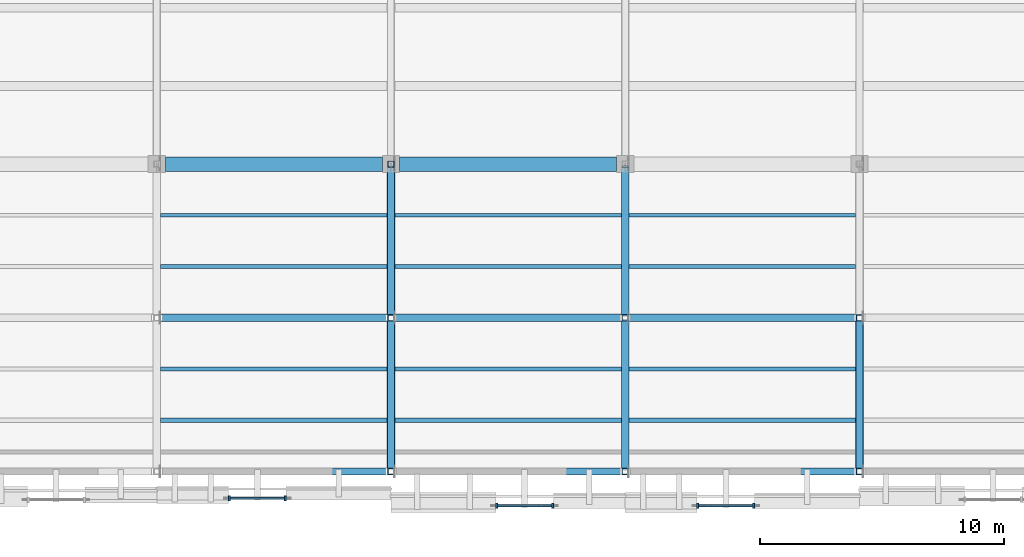
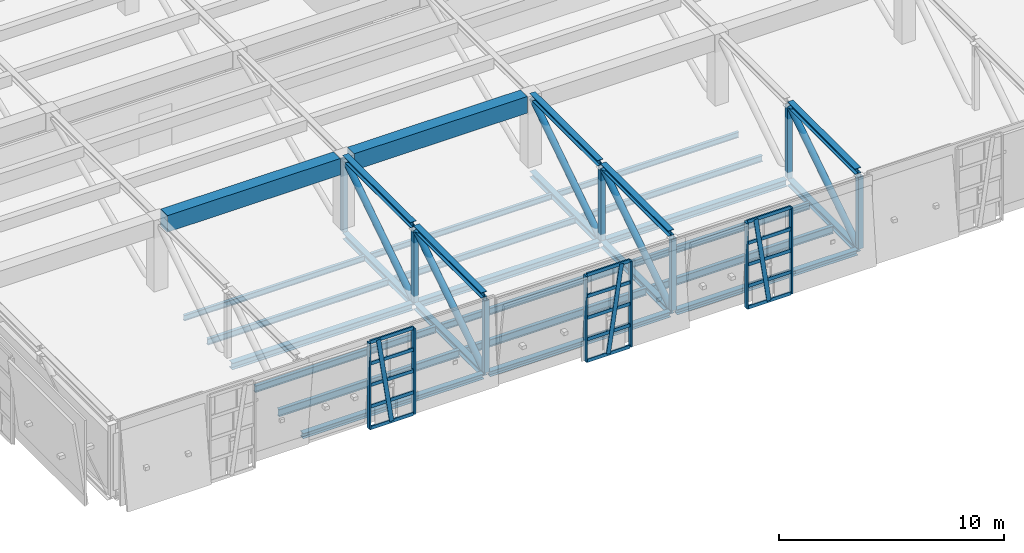
# One storey, part 9 of 62: 46 members, 20 beams, 3 elements without a shape of their own.
"""IFC4 building model written with IfcOpenShell, lengths in metres."""

from ifc_helpers import new_model, si_unit, direction, frame, origin, origin_2d, place, context, subcontext, project, spatial, rectangle, hollow_rectangle, hollow_circle, i_section, extrude, material, layer, layer_set, material_profile, profile_set, type_object, element, aggregate, save


model = new_model("IFC4")

# Units and contexts
model_context = context("Model", 3, precision=1e-05, world=origin(), true_north=direction((0.0, 1.0)))
body_context = subcontext(model_context, "Body", "Model", "MODEL_VIEW")
ifc_project = project(units=[si_unit("LENGTHUNIT", "METRE"), si_unit("AREAUNIT", "SQUARE_METRE"), si_unit("VOLUMEUNIT", "CUBIC_METRE"), si_unit("PLANEANGLEUNIT", "RADIAN"), si_unit("MASSUNIT", "GRAM", prefix="KILO")], contexts=[model_context])

# Site, building, storey
site_placement = place(None, origin())
site = spatial("IfcSite", under=ifc_project, at=site_placement, CompositionType="ELEMENT")
building_placement = place(site_placement, origin())
building = spatial("IfcBuilding", under=site, at=building_placement, Name="Bempovik Park Faculty of Sciences", CompositionType="ELEMENT")
storey_placement = place(building_placement, frame((0.0, 0.0, 9.89990234375)))
storey = spatial("IfcBuildingStorey", under=building, at=storey_placement, Name="L02", CompositionType="ELEMENT", Elevation=9.89990234375)

# Beams
ifc_material_1 = material(Name="Steel S355", Category="steel")
ifc_material_profile_1 = material_profile(ifc_material_1, i_section(OverallWidth=0.14990234375, OverallDepth=0.300048828125, WebThickness=0.007080078125, FlangeThickness=0.0107421875, at=origin_2d()), Name="IPE 300")
ifc_profile_set_1 = profile_set([ifc_material_profile_1], Name="Steel S355")
beam_type_1 = type_object("IfcBeamType", Name="B-043 IPE 300", PredefinedType="JOIST", material=ifc_profile_set_1)
beam_1_placement = place(storey_placement, frame((69.756103515625, 17.699951171875, -0.469970703125), z_axis=(1.0, 0.0, 0.0), x_axis=(0.0, 1.0, 0.0)))
element("IfcBeam", 1, at=beam_1_placement, inside=storey, type_object=beam_type_1, Name="Cantilever Floor Joist L02 (69.6-79.2, y=17.7)", PredefinedType="JOIST", context=body_context, shape_type="SweptSolid", body=[
    extrude(i_section(OverallWidth=0.14990234375, OverallDepth=0.300048828125, WebThickness=0.007080078125, FlangeThickness=0.0107421875, at=origin_2d()), origin(), (0.0, 0.0, 1.0), 9.287841796875),
])
beam_2_placement = place(storey_placement, frame((79.35595703125, 17.699951171875, -0.469970703125), z_axis=(1.0, 0.0, 0.0), x_axis=(0.0, 1.0, 0.0)))
element("IfcBeam", 2, at=beam_2_placement, inside=storey, type_object=beam_type_1, Name="Cantilever Floor Joist L02 (79.2-88.8, y=17.7)", PredefinedType="JOIST", context=body_context, shape_type="SweptSolid", body=[
    extrude(i_section(OverallWidth=0.14990234375, OverallDepth=0.300048828125, WebThickness=0.007080078125, FlangeThickness=0.0107421875, at=origin_2d()), origin(), (0.0, 0.0, 1.0), 9.2880859375),
])
beam_3_placement = place(storey_placement, frame((88.9560546875, 17.699951171875, -0.469970703125), z_axis=(1.0, 0.0, 0.0), x_axis=(0.0, 1.0, 0.0)))
element("IfcBeam", 3, at=beam_3_placement, inside=storey, type_object=beam_type_1, Name="Cantilever Floor Joist L02 (88.8-98.4, y=17.7)", PredefinedType="JOIST", context=body_context, shape_type="SweptSolid", body=[
    extrude(i_section(OverallWidth=0.14990234375, OverallDepth=0.300048828125, WebThickness=0.007080078125, FlangeThickness=0.0107421875, at=origin_2d()), origin(), (0.0, 0.0, 1.0), 9.287841796875),
])
ifc_material_profile_2 = material_profile(ifc_material_1, i_section(OverallWidth=0.300048828125, OverallDepth=0.360107421875, WebThickness=0.012451171875, FlangeThickness=0.0224609375, at=origin_2d()), Name="HEB 360")
ifc_profile_set_2 = profile_set([ifc_material_profile_2], Name="Steel S355")
beam_type_2 = type_object("IfcBeamType", Name="B-102 HEB 360", PredefinedType="BEAM", material=ifc_profile_set_2)
beam_4_placement = place(storey_placement, frame((69.756103515625, 13.5, -0.5), z_axis=(1.0, 0.0, 0.0), x_axis=(0.0, 1.0, 0.0)))
element("IfcBeam", 4, at=beam_4_placement, inside=storey, type_object=beam_type_2, Name="Cantilever Collector Beam L02 (69.6-79.2, y=13.5)", PredefinedType="BEAM", context=body_context, shape_type="SweptSolid", body=[
    extrude(i_section(OverallWidth=0.300048828125, OverallDepth=0.360107421875, WebThickness=0.012451171875, FlangeThickness=0.0224609375, at=origin_2d()), origin(), (0.0, 0.0, 1.0), 9.287841796875),
])
beam_5_placement = place(storey_placement, frame((79.35595703125, 13.5, -0.5), z_axis=(1.0, 0.0, 0.0), x_axis=(0.0, 1.0, 0.0)))
element("IfcBeam", 5, at=beam_5_placement, inside=storey, type_object=beam_type_2, Name="Cantilever Collector Beam L02 (79.2-88.8, y=13.5)", PredefinedType="BEAM", context=body_context, shape_type="SweptSolid", body=[
    extrude(i_section(OverallWidth=0.300048828125, OverallDepth=0.360107421875, WebThickness=0.012451171875, FlangeThickness=0.0224609375, at=origin_2d()), origin(), (0.0, 0.0, 1.0), 9.2880859375),
])
beam_6_placement = place(storey_placement, frame((88.9560546875, 13.5, -0.5), z_axis=(1.0, 0.0, 0.0), x_axis=(0.0, 1.0, 0.0)))
element("IfcBeam", 6, at=beam_6_placement, inside=storey, type_object=beam_type_2, Name="Cantilever Collector Beam L02 (88.8-98.4, y=13.5)", PredefinedType="BEAM", context=body_context, shape_type="SweptSolid", body=[
    extrude(i_section(OverallWidth=0.300048828125, OverallDepth=0.360107421875, WebThickness=0.012451171875, FlangeThickness=0.0224609375, at=origin_2d()), origin(), (0.0, 0.0, 1.0), 9.287841796875),
])
ifc_material_profile_3 = material_profile(ifc_material_1, i_section(OverallWidth=0.169921875, OverallDepth=0.360107421875, WebThickness=0.008056640625, FlangeThickness=0.0126953125, at=origin_2d()), Name="IPE 360")
ifc_profile_set_3 = profile_set([ifc_material_profile_3], Name="Steel S355")
beam_type_3 = type_object("IfcBeamType", Name="B-103 IPE 360", PredefinedType="JOIST", material=ifc_profile_set_3)
beam_7_placement = place(storey_placement, frame((69.756103515625, 11.39990234375, -0.5), z_axis=(1.0, 0.0, 0.0), x_axis=(0.0, 1.0, 0.0)))
element("IfcBeam", 7, at=beam_7_placement, inside=storey, type_object=beam_type_3, Name="Cantilever Floor Joist L02 (69.6-79.2, y=11.4)", PredefinedType="JOIST", context=body_context, shape_type="SweptSolid", body=[
    extrude(i_section(OverallWidth=0.169921875, OverallDepth=0.360107421875, WebThickness=0.008056640625, FlangeThickness=0.0126953125, at=origin_2d()), origin(), (0.0, 0.0, 1.0), 9.287841796875),
])
beam_8_placement = place(storey_placement, frame((79.35595703125, 11.39990234375, -0.5), z_axis=(1.0, 0.0, 0.0), x_axis=(0.0, 1.0, 0.0)))
element("IfcBeam", 8, at=beam_8_placement, inside=storey, type_object=beam_type_3, Name="Cantilever Floor Joist L02 (79.2-88.8, y=11.4)", PredefinedType="JOIST", context=body_context, shape_type="SweptSolid", body=[
    extrude(i_section(OverallWidth=0.169921875, OverallDepth=0.360107421875, WebThickness=0.008056640625, FlangeThickness=0.0126953125, at=origin_2d()), origin(), (0.0, 0.0, 1.0), 9.2880859375),
])
beam_9_placement = place(storey_placement, frame((88.9560546875, 11.39990234375, -0.5), z_axis=(1.0, 0.0, 0.0), x_axis=(0.0, 1.0, 0.0)))
element("IfcBeam", 9, at=beam_9_placement, inside=storey, type_object=beam_type_3, Name="Cantilever Floor Joist L02 (88.8-98.4, y=11.4)", PredefinedType="JOIST", context=body_context, shape_type="SweptSolid", body=[
    extrude(i_section(OverallWidth=0.169921875, OverallDepth=0.360107421875, WebThickness=0.008056640625, FlangeThickness=0.0126953125, at=origin_2d()), origin(), (0.0, 0.0, 1.0), 9.287841796875),
])
ifc_material_profile_4 = material_profile(ifc_material_1, i_section(OverallWidth=0.179931640625, OverallDepth=0.39990234375, WebThickness=0.008544921875, FlangeThickness=0.013427734375, at=origin_2d()), Name="IPE 400")
ifc_profile_set_4 = profile_set([ifc_material_profile_4], Name="Steel S355")
beam_type_4 = type_object("IfcBeamType", Name="B-111 IPE 400", PredefinedType="BEAM", material=ifc_profile_set_4)
beam_10_placement = place(storey_placement, frame((69.756103515625, 9.300048828125, -0.52001953125), z_axis=(1.0, 0.0, 0.0), x_axis=(0.0, 1.0, 0.0)))
element("IfcBeam", 10, at=beam_10_placement, inside=storey, type_object=beam_type_4, Name="Cantilever Floor Joist L02 (69.6-79.2, y=9.3)", PredefinedType="BEAM", context=body_context, shape_type="SweptSolid", body=[
    extrude(i_section(OverallWidth=0.179931640625, OverallDepth=0.39990234375, WebThickness=0.008544921875, FlangeThickness=0.013427734375, at=origin_2d()), origin(), (0.0, 0.0, 1.0), 9.287841796875),
])
beam_11_placement = place(storey_placement, frame((79.35595703125, 9.300048828125, -0.52001953125), z_axis=(1.0, 0.0, 0.0), x_axis=(0.0, 1.0, 0.0)))
element("IfcBeam", 11, at=beam_11_placement, inside=storey, type_object=beam_type_4, Name="Cantilever Floor Joist L02 (79.2-88.8, y=9.3)", PredefinedType="BEAM", context=body_context, shape_type="SweptSolid", body=[
    extrude(i_section(OverallWidth=0.179931640625, OverallDepth=0.39990234375, WebThickness=0.008544921875, FlangeThickness=0.013427734375, at=origin_2d()), origin(), (0.0, 0.0, 1.0), 9.2880859375),
])
beam_12_placement = place(storey_placement, frame((88.9560546875, 9.300048828125, -0.52001953125), z_axis=(1.0, 0.0, 0.0), x_axis=(0.0, 1.0, 0.0)))
element("IfcBeam", 12, at=beam_12_placement, inside=storey, type_object=beam_type_4, Name="Cantilever Floor Joist L02 (88.8-98.4, y=9.3)", PredefinedType="BEAM", context=body_context, shape_type="SweptSolid", body=[
    extrude(i_section(OverallWidth=0.179931640625, OverallDepth=0.39990234375, WebThickness=0.008544921875, FlangeThickness=0.013427734375, at=origin_2d()), origin(), (0.0, 0.0, 1.0), 9.287841796875),
])
ifc_material_2 = material(Name="Concrete C40/50", Category="concrete")
ifc_material_profile_5 = material_profile(ifc_material_2, rectangle(XDim=0.60009765625, YDim=0.89990234375, at=origin_2d()), Name="RC 600x900")
ifc_profile_set_5 = profile_set([ifc_material_profile_5], Name="Concrete C40/50")
beam_type_5 = type_object("IfcBeamType", Name="B-115 RC 600x900", PredefinedType="BEAM", material=ifc_profile_set_5)
beam_13_placement = place(storey_placement, frame((69.9560546875, 19.800048828125, 3.4501953125), z_axis=(1.0, 0.0, 0.0), x_axis=(0.0, 1.0, 0.0)))
element("IfcBeam", 13, at=beam_13_placement, inside=storey, type_object=beam_type_5, Name="L02 Beam X (69.6-79.2, y=19.8)", PredefinedType="BEAM", context=body_context, shape_type="SweptSolid", body=[
    extrude(rectangle(XDim=0.60009765625, YDim=0.89990234375, at=origin_2d()), origin(), (0.0, 0.0, 1.0), 8.887939453125),
])
beam_14_placement = place(storey_placement, frame((79.555908203125, 19.800048828125, 3.4501953125), z_axis=(1.0, 0.0, 0.0), x_axis=(0.0, 1.0, 0.0)))
element("IfcBeam", 14, at=beam_14_placement, inside=storey, type_object=beam_type_5, Name="L02 Beam X (79.2-88.8, y=19.8)", PredefinedType="BEAM", context=body_context, shape_type="SweptSolid", body=[
    extrude(rectangle(XDim=0.60009765625, YDim=0.89990234375, at=origin_2d()), origin(), (0.0, 0.0, 1.0), 8.88818359375),
])
ifc_material_profile_6 = material_profile(ifc_material_1, i_section(OverallWidth=0.280029296875, OverallDepth=0.280029296875, WebThickness=0.010498046875, FlangeThickness=0.01806640625, at=origin_2d()), Name="HEB 280")
ifc_profile_set_6 = profile_set([ifc_material_profile_6], Name="Steel S355")
beam_type_6 = type_object("IfcBeamType", Name="B-119 HEB 280", PredefinedType="SPANDREL", material=ifc_profile_set_6)
beam_15_placement = place(storey_placement, frame((69.756103515625, 7.199951171875, -0.4599609375), z_axis=(1.0, 0.0, 0.0), x_axis=(0.0, 1.0, 0.0)))
element("IfcBeam", 15, at=beam_15_placement, inside=storey, type_object=beam_type_6, Name="Cantilever Collector Beam L02 (69.6-79.2, y=7.2)", PredefinedType="SPANDREL", context=body_context, shape_type="SweptSolid", body=[
    extrude(i_section(OverallWidth=0.280029296875, OverallDepth=0.280029296875, WebThickness=0.010498046875, FlangeThickness=0.01806640625, at=origin_2d()), origin(), (0.0, 0.0, 1.0), 9.287841796875),
])
beam_16_placement = place(storey_placement, frame((79.35595703125, 7.199951171875, -0.4599609375), z_axis=(1.0, 0.0, 0.0), x_axis=(0.0, 1.0, 0.0)))
element("IfcBeam", 16, at=beam_16_placement, inside=storey, type_object=beam_type_6, Name="Cantilever Collector Beam L02 (79.2-88.8, y=7.2)", PredefinedType="SPANDREL", context=body_context, shape_type="SweptSolid", body=[
    extrude(i_section(OverallWidth=0.280029296875, OverallDepth=0.280029296875, WebThickness=0.010498046875, FlangeThickness=0.01806640625, at=origin_2d()), origin(), (0.0, 0.0, 1.0), 9.2880859375),
])
beam_17_placement = place(storey_placement, frame((88.9560546875, 7.199951171875, -0.4599609375), z_axis=(1.0, 0.0, 0.0), x_axis=(0.0, 1.0, 0.0)))
element("IfcBeam", 17, at=beam_17_placement, inside=storey, type_object=beam_type_6, Name="Cantilever Collector Beam L02 (88.8-98.4, y=7.2)", PredefinedType="SPANDREL", context=body_context, shape_type="SweptSolid", body=[
    extrude(i_section(OverallWidth=0.280029296875, OverallDepth=0.280029296875, WebThickness=0.010498046875, FlangeThickness=0.01806640625, at=origin_2d()), origin(), (0.0, 0.0, 1.0), 9.287841796875),
])
ifc_material_profile_7 = material_profile(ifc_material_1, i_section(OverallWidth=0.159912109375, OverallDepth=0.330078125, WebThickness=0.007568359375, FlangeThickness=0.011474609375, at=origin_2d()), Name="IPE 330")
ifc_profile_set_7 = profile_set([ifc_material_profile_7], Name="Steel S355")
beam_type_7 = type_object("IfcBeamType", Name="B-126 IPE 330", PredefinedType="BEAM", material=ifc_profile_set_7)
beam_18_placement = place(storey_placement, frame((69.756103515625, 15.60009765625, -0.48486328125), z_axis=(1.0, 0.0, 0.0), x_axis=(0.0, 1.0, 0.0)))
element("IfcBeam", 18, at=beam_18_placement, inside=storey, type_object=beam_type_7, Name="Cantilever Floor Joist L02 (69.6-79.2, y=15.6)", PredefinedType="BEAM", context=body_context, shape_type="SweptSolid", body=[
    extrude(i_section(OverallWidth=0.159912109375, OverallDepth=0.330078125, WebThickness=0.007568359375, FlangeThickness=0.011474609375, at=origin_2d()), origin(), (0.0, 0.0, 1.0), 9.287841796875),
])
beam_19_placement = place(storey_placement, frame((79.35595703125, 15.60009765625, -0.48486328125), z_axis=(1.0, 0.0, 0.0), x_axis=(0.0, 1.0, 0.0)))
element("IfcBeam", 19, at=beam_19_placement, inside=storey, type_object=beam_type_7, Name="Cantilever Floor Joist L02 (79.2-88.8, y=15.6)", PredefinedType="BEAM", context=body_context, shape_type="SweptSolid", body=[
    extrude(i_section(OverallWidth=0.159912109375, OverallDepth=0.330078125, WebThickness=0.007568359375, FlangeThickness=0.011474609375, at=origin_2d()), origin(), (0.0, 0.0, 1.0), 9.2880859375),
])
beam_20_placement = place(storey_placement, frame((88.9560546875, 15.60009765625, -0.48486328125), z_axis=(1.0, 0.0, 0.0), x_axis=(0.0, 1.0, 0.0)))
element("IfcBeam", 20, at=beam_20_placement, inside=storey, type_object=beam_type_7, Name="Cantilever Floor Joist L02 (88.8-98.4, y=15.6)", PredefinedType="BEAM", context=body_context, shape_type="SweptSolid", body=[
    extrude(i_section(OverallWidth=0.159912109375, OverallDepth=0.330078125, WebThickness=0.007568359375, FlangeThickness=0.011474609375, at=origin_2d()), origin(), (0.0, 0.0, 1.0), 9.287841796875),
])

# Members
ifc_material_profile_8 = material_profile(ifc_material_1, i_section(OverallWidth=0.300048828125, OverallDepth=0.320068359375, WebThickness=0.011474609375, FlangeThickness=0.0205078125, at=origin_2d()), Name="HEB 320")
ifc_profile_set_8 = profile_set([ifc_material_profile_8], Name="Steel S355")
member_type_1 = type_object("IfcMemberType", Name="M-24 HEB 320", PredefinedType="CHORD", material=ifc_profile_set_8)
for number, where, z_axis, x_axis, name in (
    (21, (79.199951171875, 7.33203125, -0.47998046875), (0.0, 1.0, 0.0), (-1.0, 0.0, 0.0), "Cantilever Truss 3 Bottom Chord 1"),
    (22, (79.199951171875, 13.632080078125, -0.47998046875), (0.0, 1.0, 0.0), (-1.0, 0.0, 0.0), "Cantilever Truss 3 Bottom Chord 2"),
    (23, (88.800048828125, 7.33203125, -0.47998046875), (0.0, 1.0, 0.0), (-1.0, 0.0, 0.0), "Cantilever Truss 4 Bottom Chord 1"),
    (24, (88.800048828125, 13.632080078125, -0.47998046875), (0.0, 1.0, 0.0), (-1.0, 0.0, 0.0), "Cantilever Truss 4 Bottom Chord 2"),
    (25, (98.39990234375, 7.33203125, -0.47998046875), (0.0, 1.0, 0.0), (-1.0, 0.0, 0.0), "Cantilever Truss 5 Bottom Chord 1"),
):
    element("IfcMember", number, at=place(storey_placement, frame(where, z_axis=z_axis, x_axis=x_axis)), inside=storey, type_object=member_type_1, Name=name, PredefinedType="CHORD", context=body_context, shape_type="SweptSolid", body=[
        extrude(i_section(OverallWidth=0.300048828125, OverallDepth=0.320068359375, WebThickness=0.011474609375, FlangeThickness=0.0205078125, at=origin_2d()), origin(), (0.0, 0.0, 1.0), 6.035888671875),
    ])
ifc_material_profile_9 = material_profile(ifc_material_1, hollow_circle(Radius=0.161865234375, WallThickness=0.01611328125, at=origin_2d()), Name="CHS 323.9x16")
ifc_profile_set_9 = profile_set([ifc_material_profile_9], Name="Steel S355")
member_type_2 = type_object("IfcMemberType", Name="M-38 CHS 323.9x16", PredefinedType="BRACE", material=ifc_profile_set_9)
for number, where, z_axis, x_axis, name in (
    (26, (79.199951171875, 7.3349609375, -0.31396484375), (0.0, 0.839177969372, 0.543856907395), (-1.0, 0.0, 0.0), "Cantilever Truss 3 L02 Diagonal 1"),
    (27, (79.199951171875, 13.635009765625, -0.31396484375), (0.0, 0.839177969372, 0.543856907395), (-1.0, 0.0, 0.0), "Cantilever Truss 3 L02 Diagonal 2"),
    (28, (88.800048828125, 7.3349609375, -0.31396484375), (0.0, 0.839177969372, 0.543856907395), (-1.0, 0.0, 0.0), "Cantilever Truss 4 L02 Diagonal 1"),
    (29, (88.800048828125, 13.635009765625, -0.31396484375), (0.0, 0.839177969372, 0.543856907395), (-1.0, 0.0, 0.0), "Cantilever Truss 4 L02 Diagonal 2"),
    (30, (98.39990234375, 7.3349609375, -0.31396484375), (0.0, 0.839177969372, 0.543856907395), (-1.0, 0.0, 0.0), "Cantilever Truss 5 L02 Diagonal 1"),
):
    element("IfcMember", number, at=place(storey_placement, frame(where, z_axis=z_axis, x_axis=x_axis)), inside=storey, type_object=member_type_2, Name=name, PredefinedType="BRACE", context=body_context, shape_type="SweptSolid", body=[
        extrude(hollow_circle(Radius=0.161865234375, WallThickness=0.01611328125, at=origin_2d()), origin(), (0.0, 0.0, 1.0), 7.185546875),
    ])
ifc_material_profile_10 = material_profile(ifc_material_1, i_section(OverallWidth=0.300048828125, OverallDepth=0.300048828125, WebThickness=0.010986328125, FlangeThickness=0.01904296875, at=origin_2d()), Name="HEB 300")
ifc_profile_set_10 = profile_set([ifc_material_profile_10], Name="Steel S355")
member_type_3 = type_object("IfcMemberType", Name="M-55 HEB 300", PredefinedType="CHORD", material=ifc_profile_set_10)
for number, where, z_axis, x_axis, name in (
    (31, (79.199951171875, 7.33203125, 3.75), (0.0, 1.0, 0.0), (-1.0, 0.0, 0.0), "Cantilever Truss 3 Mid Tie 1"),
    (32, (79.199951171875, 13.632080078125, 3.75), (0.0, 1.0, 0.0), (-1.0, 0.0, 0.0), "Cantilever Truss 3 Mid Tie 2"),
    (33, (88.800048828125, 7.33203125, 3.75), (0.0, 1.0, 0.0), (-1.0, 0.0, 0.0), "Cantilever Truss 4 Mid Tie 1"),
    (34, (88.800048828125, 13.632080078125, 3.75), (0.0, 1.0, 0.0), (-1.0, 0.0, 0.0), "Cantilever Truss 4 Mid Tie 2"),
    (35, (98.39990234375, 7.33203125, 3.75), (0.0, 1.0, 0.0), (-1.0, 0.0, 0.0), "Cantilever Truss 5 Mid Tie 1"),
):
    element("IfcMember", number, at=place(storey_placement, frame(where, z_axis=z_axis, x_axis=x_axis)), inside=storey, type_object=member_type_3, Name=name, PredefinedType="CHORD", context=body_context, shape_type="SweptSolid", body=[
        extrude(i_section(OverallWidth=0.300048828125, OverallDepth=0.300048828125, WebThickness=0.010986328125, FlangeThickness=0.01904296875, at=origin_2d()), origin(), (0.0, 0.0, 1.0), 6.035888671875),
    ])
ifc_material_profile_11 = material_profile(ifc_material_1, hollow_rectangle(XDim=0.25, YDim=0.25, WallThickness=0.012451171875, at=origin_2d()), Name="SHS 250x250x12.5")
ifc_profile_set_11 = profile_set([ifc_material_profile_11], Name="Steel S355")
member_type_4 = type_object("IfcMemberType", Name="M-64 SHS 250x250x12.5", PredefinedType="POST", material=ifc_profile_set_11)
for number, where, z_axis, x_axis, name in (
    (36, (79.199951171875, 7.199951171875, -0.31396484375), (0.0, 0.0, 1.0), (1.0, 0.0, 0.0), "Cantilever Truss 3 L02 Post 1"),
    (37, (79.199951171875, 13.5, -0.31396484375), (0.0, 0.0, 1.0), (1.0, 0.0, 0.0), "Cantilever Truss 3 L02 Post 2"),
    (38, (79.199951171875, 19.800048828125, -0.31396484375), (0.0, 0.0, 1.0), (1.0, 0.0, 0.0), "Cantilever Truss 3 L02 Post 3"),
    (39, (88.800048828125, 7.199951171875, -0.31396484375), (0.0, 0.0, 1.0), (1.0, 0.0, 0.0), "Cantilever Truss 4 L02 Post 1"),
    (40, (88.800048828125, 13.5, -0.31396484375), (0.0, 0.0, 1.0), (1.0, 0.0, 0.0), "Cantilever Truss 4 L02 Post 2"),
    (41, (98.39990234375, 7.199951171875, -0.31396484375), (0.0, 0.0, 1.0), (1.0, 0.0, 0.0), "Cantilever Truss 5 L02 Post 1"),
    (42, (98.39990234375, 13.5, -0.31396484375), (0.0, 0.0, 1.0), (1.0, 0.0, 0.0), "Cantilever Truss 5 L02 Post 2"),
):
    element("IfcMember", number, at=place(storey_placement, frame(where, z_axis=z_axis, x_axis=x_axis)), inside=storey, type_object=member_type_4, Name=name, PredefinedType="POST", context=body_context, shape_type="SweptSolid", body=[
        extrude(hollow_rectangle(XDim=0.25, YDim=0.25, WallThickness=0.012451171875, at=origin_2d()), origin(), (0.0, 0.0, 1.0), 3.907958984375),
    ])

# Curtain wall, members
ifc_material_3 = material(Name="Tempered laminated low-E glass", Category="glass")
ifc_layer = layer(ifc_material_3, 0.159912109375)
ifc_layer_set = layer_set([ifc_layer], Name="Tempered laminated low-E glass")
curtain_wall_type = type_object("IfcCurtainWallType", Name="CW-61 Curtain 2400x4200", PredefinedType="USERDEFINED", material=ifc_layer_set)
curtain_wall_1_placement = place(storey_placement, origin())
curtain_wall_1 = element("IfcCurtainWall", 43, at=curtain_wall_1_placement, inside=storey, type_object=curtain_wall_type, Name="L02 Crystal Slantwise Light Fold (7.2,69.6)", ObjectType="UNITISED CURTAIN WALL", PredefinedType="USERDEFINED")
ifc_material_4 = material(Name="Anodised architectural bronze", Category="aluminium")
ifc_material_profile_12 = material_profile(ifc_material_4, rectangle(XDim=0.080078125, YDim=0.219970703125, at=origin_2d()), Name="ALU-M 80x220")
ifc_profile_set_12 = profile_set([ifc_material_profile_12], Name="Anodised architectural bronze")
member_type_5 = type_object("IfcMemberType", Name="ML-29 ALU-M 80x220", PredefinedType="MULLION", material=ifc_profile_set_12)
member_1_placement = place(storey_placement, frame((72.574951171875, 6.10400390625, -0.419921875), z_axis=(0.0, 0.0, 1.0), x_axis=(1.0, 0.0, 0.0)))
member_1 = element("IfcMember", 44, at=member_1_placement, type_object=member_type_5, Name="CW-FOLD-L02-72-696 Mullion 0", PredefinedType="MULLION", context=body_context, shape_type="SweptSolid", body=[
    extrude(rectangle(XDim=0.080078125, YDim=0.219970703125, at=origin_2d()), origin(), (0.0, 0.0, 1.0), 4.659912109375),
])
member_2_placement = place(storey_placement, frame((73.72509765625, 6.10400390625, -0.419921875), z_axis=(-0.144432741207, 0.0, 0.989514620037), x_axis=(0.0, -1.0, 0.0)))
member_2 = element("IfcMember", 45, at=member_2_placement, type_object=member_type_5, Name="CW-FOLD-L02-72-696 Mullion 1", PredefinedType="MULLION", context=body_context, shape_type="SweptSolid", body=[
    extrude(rectangle(XDim=0.080078125, YDim=0.219970703125, at=origin_2d()), origin(), (0.0, 0.0, 1.0), 4.709228515625),
])
member_3_placement = place(storey_placement, frame((74.875, 6.10400390625, -0.419921875), z_axis=(0.0, 0.0, 1.0), x_axis=(1.0, 0.0, 0.0)))
member_3 = element("IfcMember", 46, at=member_3_placement, type_object=member_type_5, Name="CW-FOLD-L02-72-696 Mullion 2", PredefinedType="MULLION", context=body_context, shape_type="SweptSolid", body=[
    extrude(rectangle(XDim=0.080078125, YDim=0.219970703125, at=origin_2d()), origin(), (0.0, 0.0, 1.0), 4.659912109375),
])

curtain_wall_2_placement = place(storey_placement, origin())
curtain_wall_2 = element("IfcCurtainWall", 47, at=curtain_wall_2_placement, inside=storey, type_object=curtain_wall_type, Name="L02 Crystal Slantwise Light Fold (7.2,79.2)", ObjectType="UNITISED CURTAIN WALL", PredefinedType="USERDEFINED")
member_4_placement = place(storey_placement, frame((83.52490234375, 5.799560546875, -0.419921875), z_axis=(0.0, 0.0, 1.0), x_axis=(1.0, 0.0, 0.0)))
member_4 = element("IfcMember", 48, at=member_4_placement, type_object=member_type_5, Name="CW-FOLD-L02-72-792 Mullion 0", PredefinedType="MULLION", context=body_context, shape_type="SweptSolid", body=[
    extrude(rectangle(XDim=0.080078125, YDim=0.219970703125, at=origin_2d()), origin(), (0.0, 0.0, 1.0), 4.659912109375),
])
member_5_placement = place(storey_placement, frame((84.675048828125, 5.799560546875, -0.419921875), z_axis=(0.144381979777, 0.0, 0.989522028009), x_axis=(0.0, 1.0, 0.0)))
member_5 = element("IfcMember", 49, at=member_5_placement, type_object=member_type_5, Name="CW-FOLD-L02-72-792 Mullion 1", PredefinedType="MULLION", context=body_context, shape_type="SweptSolid", body=[
    extrude(rectangle(XDim=0.080078125, YDim=0.219970703125, at=origin_2d()), origin(), (0.0, 0.0, 1.0), 4.709228515625),
])
member_6_placement = place(storey_placement, frame((85.824951171875, 5.799560546875, -0.419921875), z_axis=(0.0, 0.0, 1.0), x_axis=(1.0, 0.0, 0.0)))
member_6 = element("IfcMember", 50, at=member_6_placement, type_object=member_type_5, Name="CW-FOLD-L02-72-792 Mullion 2", PredefinedType="MULLION", context=body_context, shape_type="SweptSolid", body=[
    extrude(rectangle(XDim=0.080078125, YDim=0.219970703125, at=origin_2d()), origin(), (0.0, 0.0, 1.0), 4.659912109375),
])

curtain_wall_3_placement = place(storey_placement, origin())
curtain_wall_3 = element("IfcCurtainWall", 51, at=curtain_wall_3_placement, inside=storey, type_object=curtain_wall_type, Name="L02 Crystal Slantwise Light Fold (7.2,88.8)", ObjectType="UNITISED CURTAIN WALL", PredefinedType="USERDEFINED")
member_7_placement = place(storey_placement, frame((91.77490234375, 5.799560546875, -0.419921875), z_axis=(0.0, 0.0, 1.0), x_axis=(1.0, 0.0, 0.0)))
member_7 = element("IfcMember", 52, at=member_7_placement, type_object=member_type_5, Name="CW-FOLD-L02-72-888 Mullion 0", PredefinedType="MULLION", context=body_context, shape_type="SweptSolid", body=[
    extrude(rectangle(XDim=0.080078125, YDim=0.219970703125, at=origin_2d()), origin(), (0.0, 0.0, 1.0), 4.659912109375),
])
member_8_placement = place(storey_placement, frame((92.925048828125, 5.799560546875, -0.419921875), z_axis=(-0.144381979777, 0.0, 0.989522028009), x_axis=(0.0, -1.0, 0.0)))
member_8 = element("IfcMember", 53, at=member_8_placement, type_object=member_type_5, Name="CW-FOLD-L02-72-888 Mullion 1", PredefinedType="MULLION", context=body_context, shape_type="SweptSolid", body=[
    extrude(rectangle(XDim=0.080078125, YDim=0.219970703125, at=origin_2d()), origin(), (0.0, 0.0, 1.0), 4.709228515625),
])
member_9_placement = place(storey_placement, frame((94.074951171875, 5.799560546875, -0.419921875), z_axis=(0.0, 0.0, 1.0), x_axis=(1.0, 0.0, 0.0)))
member_9 = element("IfcMember", 54, at=member_9_placement, type_object=member_type_5, Name="CW-FOLD-L02-72-888 Mullion 2", PredefinedType="MULLION", context=body_context, shape_type="SweptSolid", body=[
    extrude(rectangle(XDim=0.080078125, YDim=0.219970703125, at=origin_2d()), origin(), (0.0, 0.0, 1.0), 4.659912109375),
])

# Member
ifc_material_profile_13 = material_profile(ifc_material_4, rectangle(XDim=0.080078125, YDim=0.179931640625, at=origin_2d()), Name="ALU-T 80x180")
ifc_profile_set_13 = profile_set([ifc_material_profile_13], Name="Anodised architectural bronze")
member_type_6 = type_object("IfcMemberType", Name="TR-29 ALU-T 80x180", PredefinedType="USERDEFINED", material=ifc_profile_set_13)
member_10_placement = place(storey_placement, frame((72.614990234375, 6.10400390625, -0.419921875), z_axis=(1.0, 0.0, 0.0), x_axis=(0.0, 1.0, 0.0)))
member_10 = element("IfcMember", 55, at=member_10_placement, type_object=member_type_6, Name="CW-FOLD-L02-72-696 Transom 0", ObjectType="TRANSOM", PredefinedType="USERDEFINED", context=body_context, shape_type="SweptSolid", body=[
    extrude(rectangle(XDim=0.080078125, YDim=0.179931640625, at=origin_2d()), origin(), (0.0, 0.0, 1.0), 2.219970703125),
])

member_11_placement = place(storey_placement, frame((72.614990234375, 6.10400390625, 0.7451171875), z_axis=(1.0, 0.0, 0.0), x_axis=(0.0, 1.0, 0.0)))
member_11 = element("IfcMember", 56, at=member_11_placement, type_object=member_type_6, Name="CW-FOLD-L02-72-696 Transom 1", ObjectType="TRANSOM", PredefinedType="USERDEFINED", context=body_context, shape_type="SweptSolid", body=[
    extrude(rectangle(XDim=0.080078125, YDim=0.179931640625, at=origin_2d()), origin(), (0.0, 0.0, 1.0), 2.219970703125),
])

member_12_placement = place(storey_placement, frame((72.614990234375, 6.10400390625, 1.91015625), z_axis=(1.0, 0.0, 0.0), x_axis=(0.0, 1.0, 0.0)))
member_12 = element("IfcMember", 57, at=member_12_placement, type_object=member_type_6, Name="CW-FOLD-L02-72-696 Transom 2", ObjectType="TRANSOM", PredefinedType="USERDEFINED", context=body_context, shape_type="SweptSolid", body=[
    extrude(rectangle(XDim=0.080078125, YDim=0.179931640625, at=origin_2d()), origin(), (0.0, 0.0, 1.0), 2.219970703125),
])

member_13_placement = place(storey_placement, frame((72.614990234375, 6.10400390625, 3.0751953125), z_axis=(1.0, 0.0, 0.0), x_axis=(0.0, 1.0, 0.0)))
member_13 = element("IfcMember", 58, at=member_13_placement, type_object=member_type_6, Name="CW-FOLD-L02-72-696 Transom 3", ObjectType="TRANSOM", PredefinedType="USERDEFINED", context=body_context, shape_type="SweptSolid", body=[
    extrude(rectangle(XDim=0.080078125, YDim=0.179931640625, at=origin_2d()), origin(), (0.0, 0.0, 1.0), 2.219970703125),
])

member_14_placement = place(storey_placement, frame((72.614990234375, 6.10400390625, 4.239990234375), z_axis=(1.0, 0.0, 0.0), x_axis=(0.0, 1.0, 0.0)))
member_14 = element("IfcMember", 59, at=member_14_placement, type_object=member_type_6, Name="CW-FOLD-L02-72-696 Transom 4", ObjectType="TRANSOM", PredefinedType="USERDEFINED", context=body_context, shape_type="SweptSolid", body=[
    extrude(rectangle(XDim=0.080078125, YDim=0.179931640625, at=origin_2d()), origin(), (0.0, 0.0, 1.0), 2.219970703125),
])

aggregate(curtain_wall_1, [member_1, member_2, member_3, member_10, member_11, member_12, member_13, member_14])

member_15_placement = place(storey_placement, frame((83.56494140625, 5.799560546875, -0.419921875), z_axis=(1.0, 0.0, 0.0), x_axis=(0.0, 1.0, 0.0)))
member_15 = element("IfcMember", 60, at=member_15_placement, type_object=member_type_6, Name="CW-FOLD-L02-72-792 Transom 0", ObjectType="TRANSOM", PredefinedType="USERDEFINED", context=body_context, shape_type="SweptSolid", body=[
    extrude(rectangle(XDim=0.080078125, YDim=0.179931640625, at=origin_2d()), origin(), (0.0, 0.0, 1.0), 2.219970703125),
])

member_16_placement = place(storey_placement, frame((83.56494140625, 5.799560546875, 0.7451171875), z_axis=(1.0, 0.0, 0.0), x_axis=(0.0, 1.0, 0.0)))
member_16 = element("IfcMember", 61, at=member_16_placement, type_object=member_type_6, Name="CW-FOLD-L02-72-792 Transom 1", ObjectType="TRANSOM", PredefinedType="USERDEFINED", context=body_context, shape_type="SweptSolid", body=[
    extrude(rectangle(XDim=0.080078125, YDim=0.179931640625, at=origin_2d()), origin(), (0.0, 0.0, 1.0), 2.219970703125),
])

member_17_placement = place(storey_placement, frame((83.56494140625, 5.799560546875, 1.91015625), z_axis=(1.0, 0.0, 0.0), x_axis=(0.0, 1.0, 0.0)))
member_17 = element("IfcMember", 62, at=member_17_placement, type_object=member_type_6, Name="CW-FOLD-L02-72-792 Transom 2", ObjectType="TRANSOM", PredefinedType="USERDEFINED", context=body_context, shape_type="SweptSolid", body=[
    extrude(rectangle(XDim=0.080078125, YDim=0.179931640625, at=origin_2d()), origin(), (0.0, 0.0, 1.0), 2.219970703125),
])

member_18_placement = place(storey_placement, frame((83.56494140625, 5.799560546875, 3.0751953125), z_axis=(1.0, 0.0, 0.0), x_axis=(0.0, 1.0, 0.0)))
member_18 = element("IfcMember", 63, at=member_18_placement, type_object=member_type_6, Name="CW-FOLD-L02-72-792 Transom 3", ObjectType="TRANSOM", PredefinedType="USERDEFINED", context=body_context, shape_type="SweptSolid", body=[
    extrude(rectangle(XDim=0.080078125, YDim=0.179931640625, at=origin_2d()), origin(), (0.0, 0.0, 1.0), 2.219970703125),
])

member_19_placement = place(storey_placement, frame((83.56494140625, 5.799560546875, 4.239990234375), z_axis=(1.0, 0.0, 0.0), x_axis=(0.0, 1.0, 0.0)))
member_19 = element("IfcMember", 64, at=member_19_placement, type_object=member_type_6, Name="CW-FOLD-L02-72-792 Transom 4", ObjectType="TRANSOM", PredefinedType="USERDEFINED", context=body_context, shape_type="SweptSolid", body=[
    extrude(rectangle(XDim=0.080078125, YDim=0.179931640625, at=origin_2d()), origin(), (0.0, 0.0, 1.0), 2.219970703125),
])

aggregate(curtain_wall_2, [member_4, member_5, member_6, member_15, member_16, member_17, member_18, member_19])

member_20_placement = place(storey_placement, frame((91.81494140625, 5.799560546875, -0.419921875), z_axis=(1.0, 0.0, 0.0), x_axis=(0.0, 1.0, 0.0)))
member_20 = element("IfcMember", 65, at=member_20_placement, type_object=member_type_6, Name="CW-FOLD-L02-72-888 Transom 0", ObjectType="TRANSOM", PredefinedType="USERDEFINED", context=body_context, shape_type="SweptSolid", body=[
    extrude(rectangle(XDim=0.080078125, YDim=0.179931640625, at=origin_2d()), origin(), (0.0, 0.0, 1.0), 2.219970703125),
])

member_21_placement = place(storey_placement, frame((91.81494140625, 5.799560546875, 0.7451171875), z_axis=(1.0, 0.0, 0.0), x_axis=(0.0, 1.0, 0.0)))
member_21 = element("IfcMember", 66, at=member_21_placement, type_object=member_type_6, Name="CW-FOLD-L02-72-888 Transom 1", ObjectType="TRANSOM", PredefinedType="USERDEFINED", context=body_context, shape_type="SweptSolid", body=[
    extrude(rectangle(XDim=0.080078125, YDim=0.179931640625, at=origin_2d()), origin(), (0.0, 0.0, 1.0), 2.219970703125),
])

member_22_placement = place(storey_placement, frame((91.81494140625, 5.799560546875, 1.91015625), z_axis=(1.0, 0.0, 0.0), x_axis=(0.0, 1.0, 0.0)))
member_22 = element("IfcMember", 67, at=member_22_placement, type_object=member_type_6, Name="CW-FOLD-L02-72-888 Transom 2", ObjectType="TRANSOM", PredefinedType="USERDEFINED", context=body_context, shape_type="SweptSolid", body=[
    extrude(rectangle(XDim=0.080078125, YDim=0.179931640625, at=origin_2d()), origin(), (0.0, 0.0, 1.0), 2.219970703125),
])

member_23_placement = place(storey_placement, frame((91.81494140625, 5.799560546875, 3.0751953125), z_axis=(1.0, 0.0, 0.0), x_axis=(0.0, 1.0, 0.0)))
member_23 = element("IfcMember", 68, at=member_23_placement, type_object=member_type_6, Name="CW-FOLD-L02-72-888 Transom 3", ObjectType="TRANSOM", PredefinedType="USERDEFINED", context=body_context, shape_type="SweptSolid", body=[
    extrude(rectangle(XDim=0.080078125, YDim=0.179931640625, at=origin_2d()), origin(), (0.0, 0.0, 1.0), 2.219970703125),
])

member_24_placement = place(storey_placement, frame((91.81494140625, 5.799560546875, 4.239990234375), z_axis=(1.0, 0.0, 0.0), x_axis=(0.0, 1.0, 0.0)))
member_24 = element("IfcMember", 69, at=member_24_placement, type_object=member_type_6, Name="CW-FOLD-L02-72-888 Transom 4", ObjectType="TRANSOM", PredefinedType="USERDEFINED", context=body_context, shape_type="SweptSolid", body=[
    extrude(rectangle(XDim=0.080078125, YDim=0.179931640625, at=origin_2d()), origin(), (0.0, 0.0, 1.0), 2.219970703125),
])

aggregate(curtain_wall_3, [member_7, member_8, member_9, member_20, member_21, member_22, member_23, member_24])

save(model, "model.ifc")
